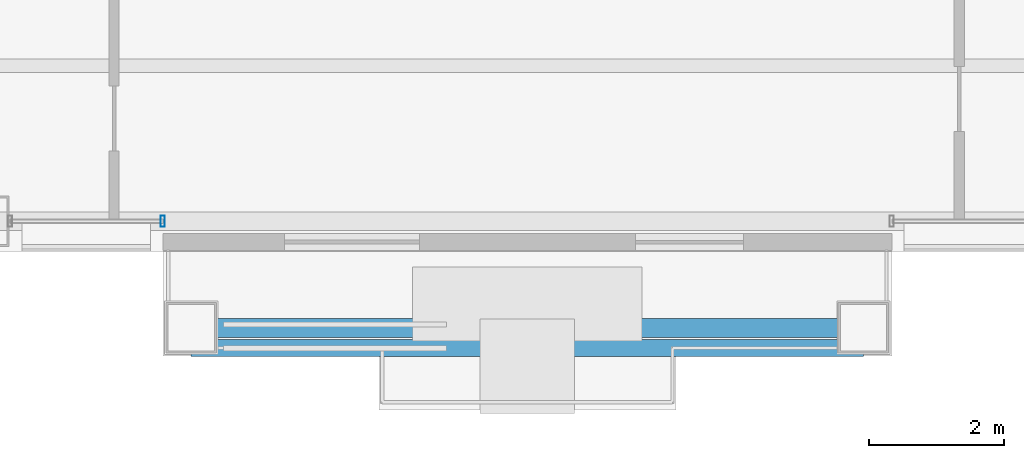
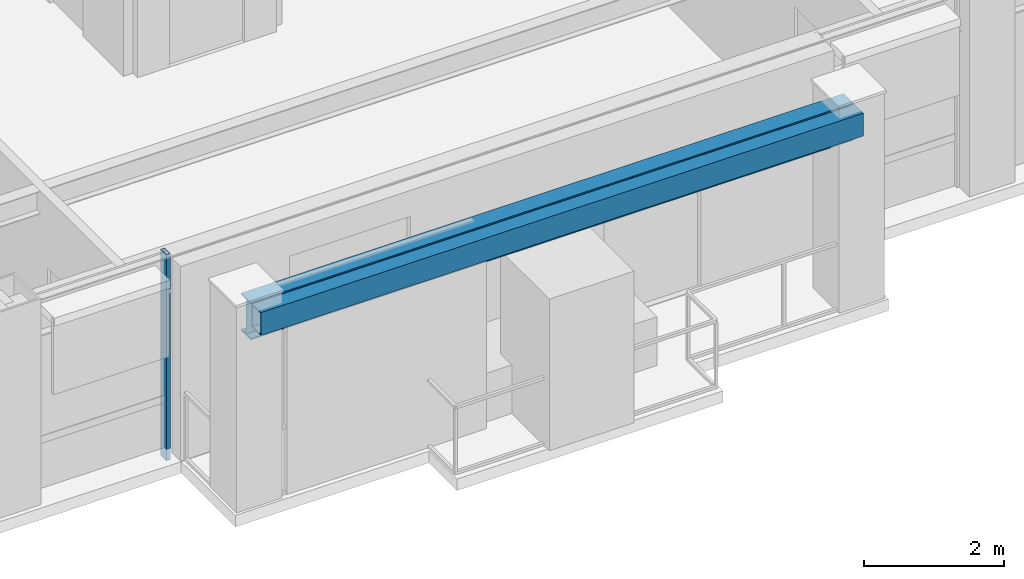
# One storey, part 6 of 31: 2 members, 1 beam, 1 element without a shape of its own.
"""IFC4 building model written with IfcOpenShell, lengths in metres."""

from ifc_helpers import new_model, si_unit, direction, frame, origin, origin_2d, place, context, subcontext, project, spatial, hollow_rectangle, i_section, extrude, material, layer, layer_set, material_profile, profile_set, type_object, element, aggregate, save


model = new_model("IFC4")

# Units and contexts
model_context = context("Model", 3, precision=1e-05, world=origin(), true_north=direction((0.0, 1.0)))
body_context = subcontext(model_context, "Body", "Model", "MODEL_VIEW")
ifc_project = project(units=[si_unit("LENGTHUNIT", "METRE"), si_unit("AREAUNIT", "SQUARE_METRE"), si_unit("VOLUMEUNIT", "CUBIC_METRE"), si_unit("PLANEANGLEUNIT", "RADIAN"), si_unit("MASSUNIT", "GRAM", prefix="KILO")], contexts=[model_context])

# Site, building, storey
site_placement = place(None, origin())
site = spatial("IfcSite", under=ifc_project, at=site_placement, CompositionType="ELEMENT")
building_placement = place(site_placement, origin())
building = spatial("IfcBuilding", under=site, at=building_placement, Name="Brelmoor Portico Tower", CompositionType="ELEMENT")
storey_placement = place(building_placement, frame((0.0, 0.0, 176.699951171875)))
storey = spatial("IfcBuildingStorey", under=building, at=storey_placement, Name="L46", CompositionType="ELEMENT", Elevation=176.699951171875)

# Beam
ifc_material_1 = material(Name="Steel Q355B", Category="steel")
ifc_material_profile_1 = material_profile(ifc_material_1, i_section(OverallWidth=0.280029296875, OverallDepth=0.64990234375, WebThickness=0.012939453125, FlangeThickness=0.02197265625, at=origin_2d()), Name="HN 650x280x13x22")
ifc_profile_set_1 = profile_set([ifc_material_profile_1], Name="Steel Q355B")
beam_type = type_object("IfcBeamType", Name="BM-SP-650", PredefinedType="SPANDREL", material=ifc_profile_set_1)
beam_placement = place(storey_placement, frame((-4.97998046875, -20.1298828125, 3.074951171875), z_axis=(1.0, 0.0, 0.0), x_axis=(0.0, 1.0, 0.0)))
element("IfcBeam", 1, at=beam_placement, inside=storey, type_object=beam_type, Name="L46 Picture-Frame Perimeter Lintel Beam S1", PredefinedType="SPANDREL", context=body_context, shape_type="SweptSolid", body=[
    extrude(i_section(OverallWidth=0.280029296875, OverallDepth=0.64990234375, WebThickness=0.012939453125, FlangeThickness=0.02197265625, at=origin_2d()), origin(), (0.0, 0.0, 1.0), 9.9599609375),
])

# Curtain wall, member
ifc_material_2 = material(Name="Anodised Aluminium Alloy 6063-T6", Category="aluminium")
ifc_layer = layer(ifc_material_2, 0.179931640625)
ifc_layer_set = layer_set([ifc_layer], Name="Anodised Aluminium Alloy 6063-T6")
curtain_wall_type = type_object("IfcCurtainWallType", Name="CW-TOWER-Z3", PredefinedType="NOTDEFINED", material=ifc_layer_set)
curtain_wall_placement = place(storey_placement, origin())
curtain_wall = element("IfcCurtainWall", 2, at=curtain_wall_placement, inside=storey, type_object=curtain_wall_type, Name="L46 Curtain Wall CW-L46-1L-2", PredefinedType="NOTDEFINED")
ifc_material_profile_2 = material_profile(ifc_material_2, hollow_rectangle(XDim=0.06494140625, YDim=0.1650390625, WallThickness=0.00390625, at=origin_2d()), Name="ALU MULLION 65x165")
ifc_profile_set_2 = profile_set([ifc_material_profile_2], Name="Anodised Aluminium Alloy 6063-T6")
member_type_1 = type_object("IfcMemberType", Name="MB-CW-MULL-165", PredefinedType="MULLION", material=ifc_profile_set_2)
member_1_placement = place(storey_placement, frame((-5.39990234375, -18.550048828125, -0.199951171875), z_axis=(0.0, 0.0, 1.0), x_axis=(1.0, 0.0, 0.0)))
member_1 = element("IfcMember", 3, at=member_1_placement, type_object=member_type_1, Name="CW-L46-1L-2 Mullion 01", PredefinedType="MULLION", context=body_context, shape_type="SweptSolid", body=[
    extrude(hollow_rectangle(XDim=0.06494140625, YDim=0.1650390625, WallThickness=0.00390625, at=origin_2d()), origin(), (0.0, 0.0, 1.0), 3.60009765625),
])
aggregate(curtain_wall, [member_1])

# Member
ifc_material_3 = material(Name="Pale Champagne Fluoropolymer-Coated Steel Q355B", Category="steel")
ifc_material_profile_3 = material_profile(ifc_material_3, hollow_rectangle(XDim=0.25, YDim=0.39990234375, WallThickness=0.013916015625, at=origin_2d()), Name="RHS 250x400x14")
ifc_profile_set_3 = profile_set([ifc_material_profile_3], Name="Pale Champagne Fluoropolymer-Coated Steel Q355B")
member_type_2 = type_object("IfcMemberType", Name="MB-PF-HEADER", PredefinedType="MEMBER", material=ifc_profile_set_3)
member_2_placement = place(storey_placement, frame((-4.97998046875, -20.429931640625, 3.199951171875), z_axis=(1.0, 0.0, 0.0), x_axis=(0.0, 1.0, 0.0)))
element("IfcMember", 4, at=member_2_placement, inside=storey, type_object=member_type_2, Name="L46 Picture-Frame Header S", PredefinedType="MEMBER", context=body_context, shape_type="SweptSolid", body=[
    extrude(hollow_rectangle(XDim=0.25, YDim=0.39990234375, WallThickness=0.013916015625, at=origin_2d()), origin(), (0.0, 0.0, 1.0), 9.9599609375),
])

save(model, "model.ifc")
